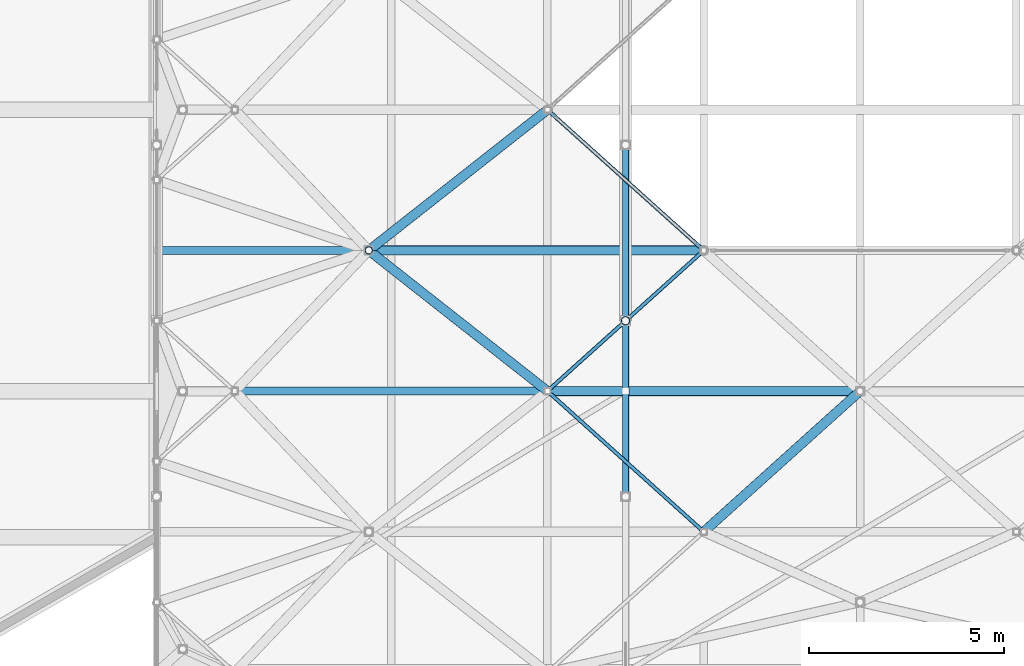
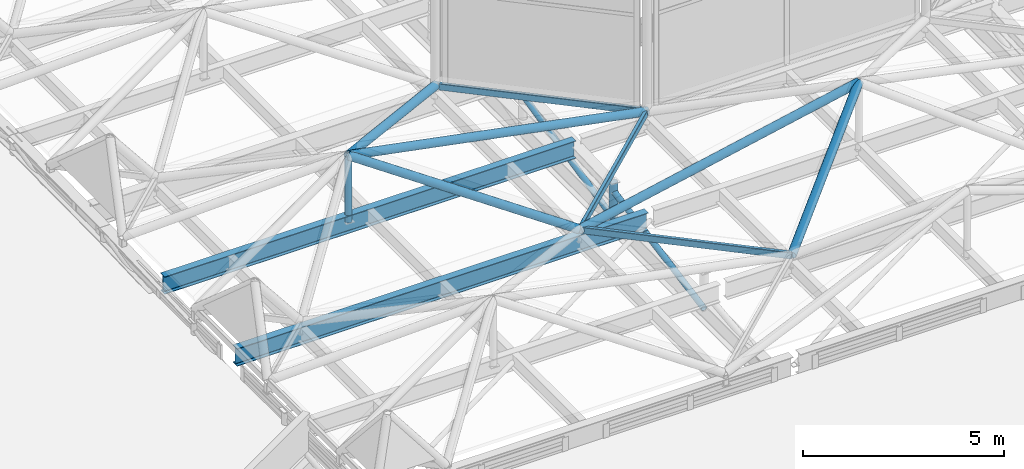
# One storey, part 10 of 239: 9 members, 5 beams.
"""IFC4 building model written with IfcOpenShell, lengths in metres."""

from ifc_helpers import new_model, si_unit, direction, frame, origin, origin_2d, place, context, subcontext, project, spatial, hollow_rectangle, hollow_circle, i_section, extrude, material, material_profile, profile_set, type_object, element, save


model = new_model("IFC4")

# Units and contexts
model_context = context("Model", 3, precision=1e-05, world=origin(), true_north=direction((0.0, 1.0)))
body_context = subcontext(model_context, "Body", "Model", "MODEL_VIEW")
ifc_project = project(units=[si_unit("LENGTHUNIT", "METRE"), si_unit("AREAUNIT", "SQUARE_METRE"), si_unit("VOLUMEUNIT", "CUBIC_METRE"), si_unit("PLANEANGLEUNIT", "RADIAN"), si_unit("MASSUNIT", "GRAM", prefix="KILO")], contexts=[model_context])

# Site, building, storey
site_placement = place(None, origin())
site = spatial("IfcSite", under=ifc_project, at=site_placement, CompositionType="ELEMENT")
building_placement = place(site_placement, origin())
building = spatial("IfcBuilding", under=site, at=building_placement, Name="Dunvalen Ferry Terminal", CompositionType="ELEMENT")
storey_placement = place(building_placement, frame((0.0, 0.0, 9.840087890625)))
storey = spatial("IfcBuildingStorey", under=building, at=storey_placement, Name="L02", CompositionType="ELEMENT", Elevation=9.840087890625)

# Beams
ifc_material = material(Name="Steel S355", Category="steel")
ifc_material_profile_1 = material_profile(ifc_material, hollow_rectangle(XDim=0.10009765625, YDim=0.199951171875, WallThickness=0.008056640625, InnerFilletRadius=0.008056640625, OuterFilletRadius=0.01611328125, at=origin_2d()), Name="Steel S355")
ifc_profile_set_1 = profile_set([ifc_material_profile_1], Name="Steel S355")
beam_type_1 = type_object("IfcBeamType", Name="STR-BM-RHS200", PredefinedType="BEAM", material=ifc_profile_set_1)
beam_1_placement = place(storey_placement, frame((26.0, 54.0, 1.099853515625), z_axis=(-0.743285123004, 0.668974757313, 0.0), x_axis=(-0.668974757313, -0.743285123004, 0.0)))
element("IfcBeam", 1, at=beam_1_placement, inside=storey, type_object=beam_type_1, Name="HEX-07 Hexagonal Rim Beam 5", PredefinedType="BEAM", context=body_context, shape_type="SweptSolid", body=[
    extrude(hollow_rectangle(XDim=0.10009765625, YDim=0.199951171875, WallThickness=0.008056640625, InnerFilletRadius=0.008056640625, OuterFilletRadius=0.01611328125, at=origin_2d()), origin(), (0.0, 0.0, 1.0), 5.381591796875),
])
beam_2_placement = place(storey_placement, frame((22.0, 57.60009765625, 1.099853515625), z_axis=(0.74330768127, 0.668949692402, 0.0), x_axis=(-0.668949692402, 0.74330768127, 0.0)))
element("IfcBeam", 2, at=beam_2_placement, inside=storey, type_object=beam_type_1, Name="HEX-08 Hexagonal Rim Beam 4", PredefinedType="BEAM", context=body_context, shape_type="SweptSolid", body=[
    extrude(hollow_rectangle(XDim=0.10009765625, YDim=0.199951171875, WallThickness=0.008056640625, InnerFilletRadius=0.008056640625, OuterFilletRadius=0.01611328125, at=origin_2d()), origin(), (0.0, 0.0, 1.0), 5.38134765625),
])
beam_3_placement = place(storey_placement, frame((26.0, 61.199951171875, 1.099853515625), z_axis=(-0.743285123004, 0.668974757313, 0.0), x_axis=(-0.668974757313, -0.743285123004, 0.0)))
element("IfcBeam", 3, at=beam_3_placement, inside=storey, type_object=beam_type_1, Name="HEX-08 Hexagonal Rim Beam 5", PredefinedType="BEAM", context=body_context, shape_type="SweptSolid", body=[
    extrude(hollow_rectangle(XDim=0.10009765625, YDim=0.199951171875, WallThickness=0.008056640625, InnerFilletRadius=0.008056640625, OuterFilletRadius=0.01611328125, at=origin_2d()), origin(), (0.0, 0.0, 1.0), 5.381591796875),
])
ifc_material_profile_2 = material_profile(ifc_material, i_section(OverallWidth=0.209228515625, OverallDepth=0.533203125, WebThickness=0.010009765625, FlangeThickness=0.015625, FilletRadius=0.0126953125, at=origin_2d()), Name="Steel S355")
ifc_profile_set_2 = profile_set([ifc_material_profile_2], Name="Steel S355")
beam_type_2 = type_object("IfcBeamType", Name="STR-BM-UKB533", PredefinedType="BEAM", material=ifc_profile_set_2)
for number, where, z_axis, x_axis, name in (
    (4, (12.10009765625, 57.60009765625, 0.7333984375), (1.0, 0.0, 0.0), (0.0, 1.0, 0.0), "Departure Hall Spine Girder B1.03"),
    (5, (12.10009765625, 61.199951171875, 0.7333984375), (1.0, 0.0, 0.0), (0.0, 1.0, 0.0), "Departure Hall Spine Girder B1.04"),
):
    element("IfcBeam", number, at=place(storey_placement, frame(where, z_axis=z_axis, x_axis=x_axis)), inside=storey, type_object=beam_type_2, Name=name, PredefinedType="BEAM", context=body_context, shape_type="SweptSolid", body=[
        extrude(i_section(OverallWidth=0.209228515625, OverallDepth=0.533203125, WebThickness=0.010009765625, FlangeThickness=0.015625, FilletRadius=0.0126953125, at=origin_2d()), origin(), (0.0, 0.0, 1.0), 11.7998046875),
    ])

# Members
ifc_material_profile_3 = material_profile(ifc_material, hollow_circle(Radius=0.084228515625, WallThickness=0.008056640625, at=origin_2d()), Name="Steel S355")
ifc_profile_set_3 = profile_set([ifc_material_profile_3], Name="Steel S355")
member_type_1 = type_object("IfcMemberType", Name="STR-MB-CHS168", PredefinedType="BRACE", material=ifc_profile_set_3)
member_1_placement = place(storey_placement, frame((24.0, 54.89990234375, -0.360107421875), z_axis=(0.0, 0.983218272848, 0.18243307797), x_axis=(-1.0, 0.0, 0.0)))
element("IfcMember", 6, at=member_1_placement, inside=storey, type_object=member_type_1, Name="Departure Hall Arch Web Diagonal 02.2", PredefinedType="BRACE", context=body_context, shape_type="SweptSolid", body=[
    extrude(hollow_circle(Radius=0.084228515625, WallThickness=0.008056640625, at=origin_2d()), origin(), (0.0, 0.0, 1.0), 4.576904296875),
])
member_2_placement = place(storey_placement, frame((24.0, 59.39990234375, -0.360107421875), z_axis=(0.0, 0.975316524259, 0.220811407104), x_axis=(-1.0, 0.0, 0.0)))
element("IfcMember", 7, at=member_2_placement, inside=storey, type_object=member_type_1, Name="Departure Hall Arch Web Diagonal 02.3", PredefinedType="BRACE", context=body_context, shape_type="SweptSolid", body=[
    extrude(hollow_circle(Radius=0.084228515625, WallThickness=0.008056640625, at=origin_2d()), origin(), (0.0, 0.0, 1.0), 4.61376953125),
])
ifc_material_profile_4 = material_profile(ifc_material, hollow_circle(Radius=0.096923828125, WallThickness=0.008056640625, at=origin_2d()), Name="Steel S355")
ifc_profile_set_4 = profile_set([ifc_material_profile_4], Name="Steel S355")
member_type_2 = type_object("IfcMemberType", Name="STR-MB-CHS193", PredefinedType="STRUT", material=ifc_profile_set_4)
member_3_placement = place(storey_placement, frame((17.4287109375, 61.199951171875, 0.77001953125), z_axis=(0.0, 0.0, 1.0), x_axis=(1.0, 0.0, 0.0)))
element("IfcMember", 8, at=member_3_placement, inside=storey, type_object=member_type_2, Name="HEX-08 Pyramid Apex Strut", PredefinedType="STRUT", context=body_context, shape_type="SweptSolid", body=[
    extrude(hollow_circle(Radius=0.096923828125, WallThickness=0.008056640625, at=origin_2d()), origin(), (0.0, 0.0, 1.0), 1.994873046875),
])
ifc_material_profile_5 = material_profile(ifc_material, hollow_circle(Radius=0.109619140625, WallThickness=0.010009765625, at=origin_2d()), Name="Steel S355")
ifc_profile_set_5 = profile_set([ifc_material_profile_5], Name="Steel S355")
member_type_3 = type_object("IfcMemberType", Name="STR-MB-CHS219", PredefinedType="STRUT", material=ifc_profile_set_5)
member_4_placement = place(storey_placement, frame((24.0, 59.39990234375, -0.360107421875), z_axis=(0.0, 0.0, 1.0), x_axis=(1.0, 0.0, 0.0)))
element("IfcMember", 9, at=member_4_placement, inside=storey, type_object=member_type_3, Name="Departure Hall Arch Spandrel Strut 02.2", PredefinedType="STRUT", context=body_context, shape_type="SweptSolid", body=[
    extrude(hollow_circle(Radius=0.109619140625, WallThickness=0.010009765625, at=origin_2d()), origin(), (0.0, 0.0, 1.0), 1.130126953125),
])
ifc_material_profile_6 = material_profile(ifc_material, hollow_circle(Radius=0.122314453125, WallThickness=0.010009765625, at=origin_2d()), Name="Steel S355")
ifc_profile_set_6 = profile_set([ifc_material_profile_6], Name="Steel S355")
member_type_4 = type_object("IfcMemberType", Name="STR-MB-CHS244", PredefinedType="STRUT", material=ifc_profile_set_6)
member_5_placement = place(storey_placement, frame((22.0, 57.60009765625, 1.099853515625), z_axis=(-0.755322072227, 0.594810080911, 0.275117311076), x_axis=(-0.618684713088, -0.78563937388, 0.0)))
element("IfcMember", 10, at=member_5_placement, inside=storey, type_object=member_type_4, Name="HEX-08 Pyramid Hip Rafter 4", PredefinedType="STRUT", context=body_context, shape_type="SweptSolid", body=[
    extrude(hollow_circle(Radius=0.122314453125, WallThickness=0.010009765625, at=origin_2d()), origin(), (0.0, 0.0, 1.0), 6.052001953125),
])
member_6_placement = place(storey_placement, frame((26.0, 61.199951171875, 1.099853515625), z_axis=(-0.981649716778, 0.0, 0.190693034876), x_axis=(0.0, -1.0, 0.0)))
element("IfcMember", 11, at=member_6_placement, inside=storey, type_object=member_type_4, Name="HEX-08 Pyramid Hip Rafter 5", PredefinedType="STRUT", context=body_context, shape_type="SweptSolid", body=[
    extrude(hollow_circle(Radius=0.122314453125, WallThickness=0.010009765625, at=origin_2d()), origin(), (0.0, 0.0, 1.0), 8.7314453125),
])
member_7_placement = place(storey_placement, frame((22.0, 64.800048828125, 1.099853515625), z_axis=(-0.755303948682, -0.594836147579, 0.275110709785), x_axis=(0.61871061037, -0.785618979287, 0.0)))
element("IfcMember", 12, at=member_7_placement, inside=storey, type_object=member_type_4, Name="HEX-08 Pyramid Hip Rafter 6", PredefinedType="STRUT", context=body_context, shape_type="SweptSolid", body=[
    extrude(hollow_circle(Radius=0.122314453125, WallThickness=0.010009765625, at=origin_2d()), origin(), (0.0, 0.0, 1.0), 6.05224609375),
])
member_8_placement = place(storey_placement, frame((22.0, 57.60009765625, 1.099853515625), z_axis=(0.979020171275, 0.0, 0.203763353518), x_axis=(0.0, 1.0, 0.0)))
element("IfcMember", 13, at=member_8_placement, inside=storey, type_object=member_type_4, Name="HEX-13 Pyramid Hip Rafter 1", PredefinedType="STRUT", context=body_context, shape_type="SweptSolid", body=[
    extrude(hollow_circle(Radius=0.122314453125, WallThickness=0.010009765625, at=origin_2d()), origin(), (0.0, 0.0, 1.0), 8.17138671875),
])
member_9_placement = place(storey_placement, frame((26.0, 54.0, 1.099853515625), z_axis=(0.710074680578, 0.639084548328, 0.295575520114), x_axis=(-0.668974757313, 0.743285123004, 0.0)))
element("IfcMember", 14, at=member_9_placement, inside=storey, type_object=member_type_4, Name="HEX-13 Pyramid Hip Rafter 2", PredefinedType="STRUT", context=body_context, shape_type="SweptSolid", body=[
    extrude(hollow_circle(Radius=0.122314453125, WallThickness=0.010009765625, at=origin_2d()), origin(), (0.0, 0.0, 1.0), 5.63330078125),
])

save(model, "model.ifc")
